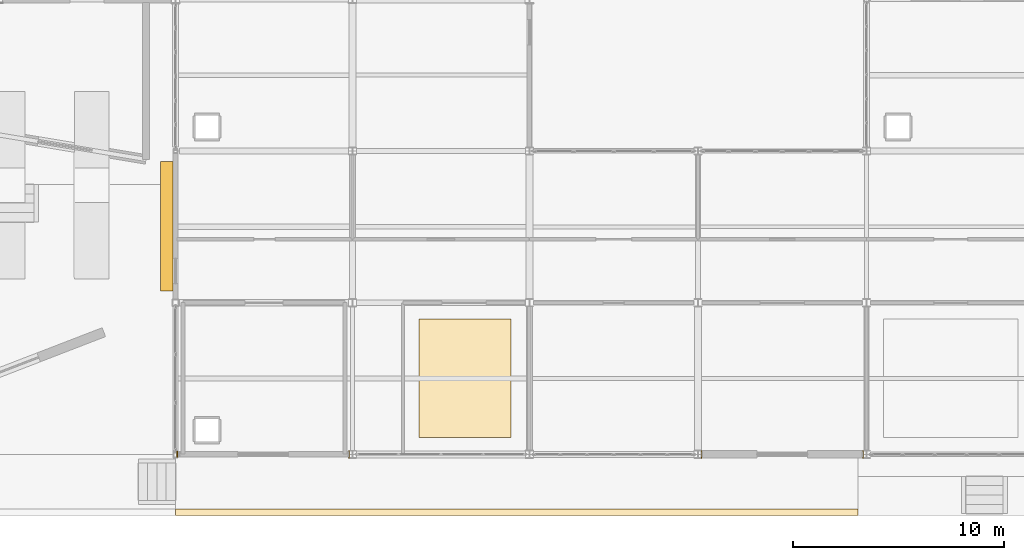
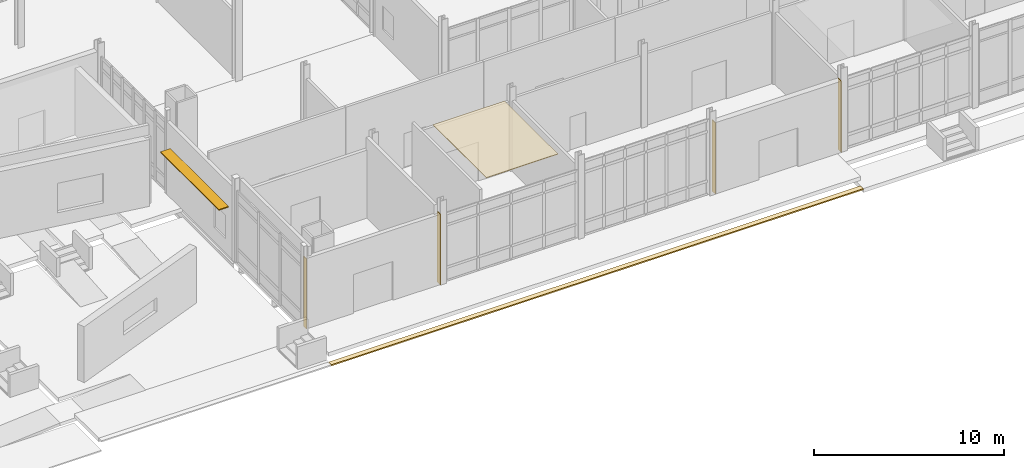
# One storey, part 209 of 229: 6 coverings, 1 shading device.
"""IFC4 building model written with IfcOpenShell, lengths in metres."""

from ifc_helpers import new_model, si_unit, direction, frame, origin, origin_2d, place, context, subcontext, project, spatial, polyline, rectangle, outline, extrude, material, layer, layer_set, type_object, element, save


model = new_model("IFC4")

# Units and contexts
model_context = context("Model", 3, precision=1e-05, world=origin(), true_north=direction((0.0, 1.0)))
body_context = subcontext(model_context, "Body", "Model", "MODEL_VIEW")
ifc_project = project(units=[si_unit("LENGTHUNIT", "METRE"), si_unit("AREAUNIT", "SQUARE_METRE"), si_unit("VOLUMEUNIT", "CUBIC_METRE"), si_unit("PLANEANGLEUNIT", "RADIAN"), si_unit("MASSUNIT", "GRAM", prefix="KILO")], contexts=[model_context])

# Site, building, storey
site_placement = place(None, origin())
site = spatial("IfcSite", under=ifc_project, at=site_placement, CompositionType="ELEMENT")
building_placement = place(site_placement, origin())
building = spatial("IfcBuilding", under=site, at=building_placement, Name="Calvrana Isthmian Art Gallery", CompositionType="ELEMENT")
storey_placement = place(building_placement, origin())
storey = spatial("IfcBuildingStorey", under=building, at=storey_placement, Name="L00", CompositionType="ELEMENT", Elevation=0.0)

# Coverings
ifc_material_1 = material(Name="Acoustic gypsum ceiling", Category="gypsum")
ifc_layer_1 = layer(ifc_material_1, 0.0400390625, Name="Acoustic gypsum ceiling")
ifc_layer_set_1 = layer_set([ifc_layer_1], Name="Acoustic gypsum ceiling")
covering_type_1 = type_object("IfcCoveringType", Name="COV-CEIL-ACOUST", PredefinedType="CEILING", material=ifc_layer_set_1)
covering_1_placement = place(storey_placement, frame((0.0, 0.0, 5.1220703125)))
element("IfcCovering", 1, at=covering_1_placement, inside=storey, type_object=covering_type_1, Name="Gallery acoustic ceiling 04", PredefinedType="CEILING", context=body_context, shape_type="SweptSolid", body=[
    extrude(outline(polyline([(75.169921875, 0.800048828125), (79.530029296875, 0.800048828125), (79.530029296875, 6.429931640625), (75.169921875, 6.429931640625), (75.169921875, 0.800048828125)])), origin(), (0.0, 0.0, 1.0), 0.0400390625),
])
ifc_material_2 = material(Name="Polychrome glazed terracotta", Category="masonry")
ifc_layer_2 = layer(ifc_material_2, 0.0400390625, Name="Polychrome glazed terracotta")
ifc_layer_set_2 = layer_set([ifc_layer_2], Name="Polychrome glazed terracotta")
covering_type_2 = type_object("IfcCoveringType", Name="COV-CLAD-TERRA", PredefinedType="CLADDING", material=ifc_layer_set_2)
covering_2_placement = place(storey_placement, origin())
element("IfcCovering", 2, at=covering_2_placement, inside=storey, type_object=covering_type_2, Name="Column pocket weather closure L00-08-00-W", PredefinedType="CLADDING", context=body_context, shape_type="SweptSolid", body=[
    extrude(outline(polyline([(63.66162109375, -0.1474609375), (63.70166015625, -0.1474609375), (63.70166015625, 0.1474609375), (63.66162109375, 0.1474609375), (63.66162109375, -0.1474609375)])), origin(), (0.0, 0.0, 1.0), 4.528076171875),
])
covering_3_placement = place(storey_placement, origin())
element("IfcCovering", 3, at=covering_3_placement, inside=storey, type_object=covering_type_2, Name="Column pocket weather closure L00-08-00-E", PredefinedType="CLADDING", context=body_context, shape_type="SweptSolid", body=[
    extrude(outline(polyline([(71.81591796875, -0.173095703125), (71.85595703125, -0.173095703125), (71.85595703125, 0.173095703125), (71.81591796875, 0.173095703125), (71.81591796875, -0.173095703125)])), origin(), (0.0, 0.0, 1.0), 4.528076171875),
])
covering_4_placement = place(storey_placement, origin())
element("IfcCovering", 4, at=covering_4_placement, inside=storey, type_object=covering_type_2, Name="Column pocket weather closure L00-11-00-W", PredefinedType="CLADDING", context=body_context, shape_type="SweptSolid", body=[
    extrude(outline(polyline([(88.54638671875, -0.178955078125), (88.58642578125, -0.178955078125), (88.58642578125, 0.178955078125), (88.54638671875, 0.178955078125), (88.54638671875, -0.178955078125)])), origin(), (0.0, 0.0, 1.0), 4.591064453125),
])
covering_5_placement = place(storey_placement, origin())
element("IfcCovering", 5, at=covering_5_placement, inside=storey, type_object=covering_type_2, Name="Column pocket weather closure L00-11-00-E", PredefinedType="CLADDING", context=body_context, shape_type="SweptSolid", body=[
    extrude(outline(polyline([(96.214599609375, -0.176513671875), (96.25439453125, -0.176513671875), (96.25439453125, 0.176513671875), (96.214599609375, 0.176513671875), (96.214599609375, -0.176513671875)])), origin(), (0.0, 0.0, 1.0), 4.591064453125),
])
ifc_material_3 = material(Name="Pale Isthmian limestone", Category="masonry")
ifc_layer_3 = layer(ifc_material_3, 0.080078125, Name="Pale Isthmian limestone")
ifc_layer_set_3 = layer_set([ifc_layer_3], Name="Pale Isthmian limestone")
covering_type_3 = type_object("IfcCoveringType", Name="COV-SITE-PAVING", PredefinedType="USERDEFINED", material=ifc_layer_set_3)
covering_6_placement = place(storey_placement, frame((0.0, 0.0, -0.679931640625)))
element("IfcCovering", 6, at=covering_6_placement, inside=storey, type_object=covering_type_3, Name="Stepped hillside grade paving bench PAV_SE_W", ObjectType="PAVING", PredefinedType="USERDEFINED", context=body_context, shape_type="SweptSolid", body=[
    extrude(outline(polyline([(63.60009765625, -2.89990234375), (96.0, -2.89990234375), (96.0, -2.597900390625), (63.60009765625, -2.597900390625), (63.60009765625, -2.89990234375)])), origin(), (0.0, 0.0, 1.0), 0.079833984375),
])

# Shading device
ifc_material_4 = material(Name="Anodized bronze aluminium 6063-T6", Category="aluminium")
ifc_layer_4 = layer(ifc_material_4, 0.06005859375, Name="Anodized bronze aluminium 6063-T6")
ifc_layer_set_4 = layer_set([ifc_layer_4], Name="Anodized bronze aluminium 6063-T6")
shading_device_type = type_object("IfcShadingDeviceType", Name="SHD-LOUVRE-600", PredefinedType="JALOUSIE", material=ifc_layer_set_4)
shading_device_placement = place(storey_placement, frame((63.19189453125, 10.825439453125, 3.119873046875), z_axis=(0.0, 0.0, 1.0), x_axis=(0.0, 1.0, 0.0)))
element("IfcShadingDevice", 7, at=shading_device_placement, inside=storey, type_object=shading_device_type, Name="Anodized bronze horizontal canopy sunshade LV-11", PredefinedType="JALOUSIE", context=body_context, shape_type="SweptSolid", body=[
    extrude(rectangle(XDim=6.14599609375, YDim=0.60009765625, at=origin_2d()), origin(), (0.0, 0.0, 1.0), 0.06005859375),
])

save(model, "model.ifc")
